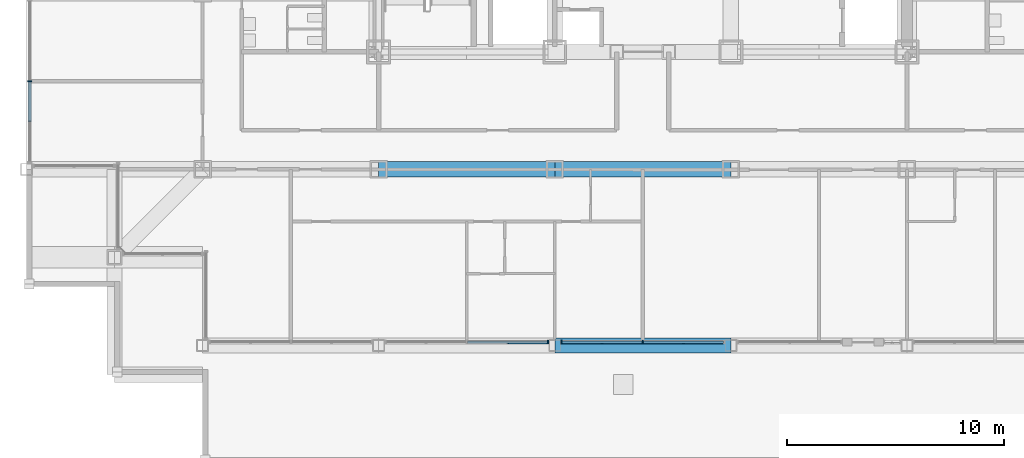
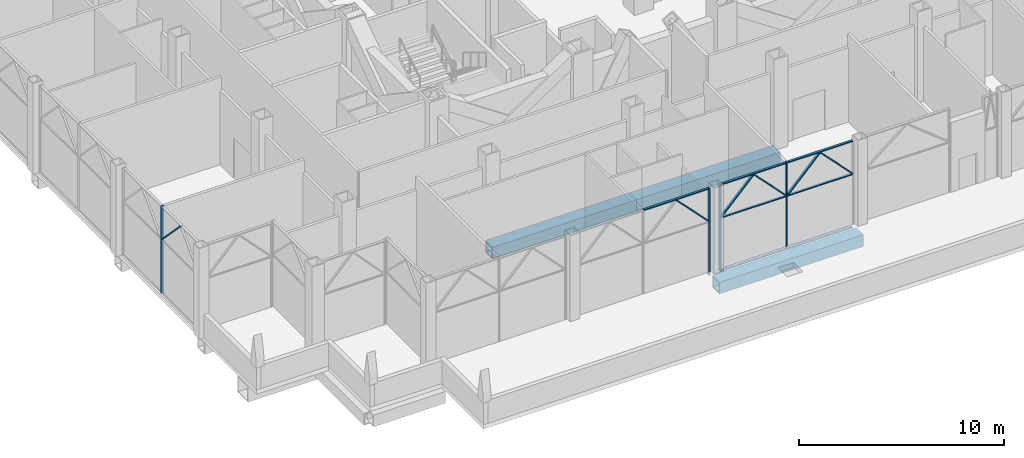
# One storey, part 3 of 29: 17 members, 3 beams, 3 elements without a shape of their own.
"""IFC4 building model written with IfcOpenShell, lengths in metres."""

from ifc_helpers import new_model, si_unit, direction, frame, origin, origin_2d, place, context, subcontext, project, spatial, rectangle, hollow_rectangle, extrude, material, material_profile, profile_set, type_object, element, aggregate, save


model = new_model("IFC4")

# Units and contexts
model_context = context("Model", 3, precision=1e-05, world=origin(), true_north=direction((0.0, 1.0)))
body_context = subcontext(model_context, "Body", "Model", "MODEL_VIEW")
ifc_project = project(units=[si_unit("LENGTHUNIT", "METRE"), si_unit("AREAUNIT", "SQUARE_METRE"), si_unit("VOLUMEUNIT", "CUBIC_METRE"), si_unit("PLANEANGLEUNIT", "RADIAN"), si_unit("MASSUNIT", "GRAM", prefix="KILO")], contexts=[model_context])

# Site, building, storey
site_placement = place(None, origin())
site = spatial("IfcSite", under=ifc_project, at=site_placement, CompositionType="ELEMENT")
building_placement = place(site_placement, origin())
building = spatial("IfcBuilding", under=site, at=building_placement, Name="Kopane Lantern Tower", CompositionType="ELEMENT")
storey_placement = place(building_placement, frame((0.0, 0.0, 165.0)))
storey = spatial("IfcBuildingStorey", under=building, at=storey_placement, Name="L42", CompositionType="ELEMENT", Elevation=165.0)

# Beams
ifc_material_1 = material(Name="Steel S355JR", Category="steel")
ifc_material_profile_1 = material_profile(ifc_material_1, hollow_rectangle(XDim=0.699951171875, YDim=0.699951171875, WallThickness=0.06005859375, at=origin_2d()), Name="BOX 700x700x60")
ifc_profile_set_1 = profile_set([ifc_material_profile_1], Name="Steel S355JR")
beam_type = type_object("IfcBeamType", Name="GIRDER BOX 700x700x60", PredefinedType="BEAM", material=ifc_profile_set_1)
beam_placement = place(storey_placement, frame((16.199951171875, 18.89990234375, -0.60009765625), z_axis=(1.0, 0.0, 0.0), x_axis=(0.0, 1.0, 0.0)))
element("IfcBeam", 1, at=beam_placement, inside=storey, type_object=beam_type, Name="Girder L42", PredefinedType="BEAM", context=body_context, shape_type="SweptSolid", body=[
    extrude(hollow_rectangle(XDim=0.699951171875, YDim=0.699951171875, WallThickness=0.06005859375, at=origin_2d()), origin(), (0.0, 0.0, 1.0), 8.10009765625),
])
for number, where, z_axis, x_axis, name in (
    (2, (24.300048828125, 10.800048828125, -0.60009765625), (1.0, 0.0, 0.0), (0.0, 1.0, 0.0), "Girder L42"),
    (3, (24.300048828125, 18.89990234375, -0.60009765625), (1.0, 0.0, 0.0), (0.0, 1.0, 0.0), "Girder L42"),
):
    element("IfcBeam", number, at=place(storey_placement, frame(where, z_axis=z_axis, x_axis=x_axis)), inside=storey, type_object=beam_type, Name=name, PredefinedType="BEAM", context=body_context, shape_type="SweptSolid", body=[
        extrude(hollow_rectangle(XDim=0.699951171875, YDim=0.699951171875, WallThickness=0.06005859375, at=origin_2d()), origin(), (0.0, 0.0, 1.0), 8.099853515625),
    ])

# Curtain wall, members
ifc_material_2 = material(Name="Aluminium and clear glass", Category="aluminium")
curtain_wall_type = type_object("IfcCurtainWallType", Name="CURTAIN WALL CW4 RESIDENCES LOBBY", PredefinedType="USERDEFINED", material=ifc_material_2)
curtain_wall_1_placement = place(storey_placement, origin())
curtain_wall_1 = element("IfcCurtainWall", 4, at=curtain_wall_1_placement, inside=storey, type_object=curtain_wall_type, Name="Curtain wall CW4 S L42", ObjectType="CURTAIN WALL", PredefinedType="USERDEFINED")
ifc_material_3 = material(Name="Aluminium", Category="aluminium")
ifc_material_profile_2 = material_profile(ifc_material_3, rectangle(XDim=0.06005859375, YDim=0.1650390625, at=origin_2d()), Name="AL 60x165")
ifc_profile_set_2 = profile_set([ifc_material_profile_2], Name="Aluminium")
member_type_1 = type_object("IfcMemberType", Name="MULLION CW4-M 60x165", PredefinedType="MULLION", material=ifc_profile_set_2)
member_1_placement = place(storey_placement, frame((23.989990234375, 10.949951171875, 0.0), z_axis=(0.0, 0.0, 1.0), x_axis=(1.0, 0.0, 0.0)))
member_1 = element("IfcMember", 5, at=member_1_placement, type_object=member_type_1, Name="CW4 mullion 3", PredefinedType="MULLION", context=body_context, shape_type="SweptSolid", body=[
    extrude(rectangle(XDim=0.06005859375, YDim=0.1650390625, at=origin_2d()), origin(), (0.0, 0.0, 1.0), 5.18994140625),
])
member_2_placement = place(storey_placement, frame((23.9384765625, 10.949951171875, 3.24072265625), z_axis=(-0.693174589614, 0.0, 0.720769719337), x_axis=(0.720769719337, 0.0, 0.693174589614)))
member_2 = element("IfcMember", 6, at=member_2_placement, type_object=member_type_1, Name="CW4 lancet mullion 2R", PredefinedType="MULLION", context=body_context, shape_type="SweptSolid", body=[
    extrude(rectangle(XDim=0.06005859375, YDim=0.1650390625, at=origin_2d()), origin(), (0.0, 0.0, 1.0), 2.59228515625),
])

curtain_wall_2_placement = place(storey_placement, origin())
curtain_wall_2 = element("IfcCurtainWall", 7, at=curtain_wall_2_placement, inside=storey, type_object=curtain_wall_type, Name="Curtain wall CW4 S L42", ObjectType="CURTAIN WALL", PredefinedType="USERDEFINED")
member_3_placement = place(storey_placement, frame((24.610107421875, 10.949951171875, 0.0), z_axis=(0.0, 0.0, 1.0), x_axis=(1.0, 0.0, 0.0)))
member_3 = element("IfcMember", 8, at=member_3_placement, type_object=member_type_1, Name="CW4 mullion 1", PredefinedType="MULLION", context=body_context, shape_type="SweptSolid", body=[
    extrude(rectangle(XDim=0.06005859375, YDim=0.1650390625, at=origin_2d()), origin(), (0.0, 0.0, 1.0), 5.18994140625),
])
member_4_placement = place(storey_placement, frame((28.35009765625, 10.949951171875, 0.0), z_axis=(0.0, 0.0, 1.0), x_axis=(1.0, 0.0, 0.0)))
member_4 = element("IfcMember", 9, at=member_4_placement, type_object=member_type_1, Name="CW4 mullion 2", PredefinedType="MULLION", context=body_context, shape_type="SweptSolid", body=[
    extrude(rectangle(XDim=0.06005859375, YDim=0.1650390625, at=origin_2d()), origin(), (0.0, 0.0, 1.0), 5.18994140625),
])
member_5_placement = place(storey_placement, frame((24.66162109375, 10.949951171875, 3.24072265625), z_axis=(0.693174589614, 0.0, 0.720769719337), x_axis=(-0.720769719337, 0.0, 0.693174589614)))
member_5 = element("IfcMember", 10, at=member_5_placement, type_object=member_type_1, Name="CW4 lancet mullion 1L", PredefinedType="MULLION", context=body_context, shape_type="SweptSolid", body=[
    extrude(rectangle(XDim=0.06005859375, YDim=0.1650390625, at=origin_2d()), origin(), (0.0, 0.0, 1.0), 2.59228515625),
])
member_6_placement = place(storey_placement, frame((28.29833984375, 10.949951171875, 3.24072265625), z_axis=(-0.693125656775, 0.0, 0.720816775554), x_axis=(0.720816775554, 0.0, 0.693125656775)))
member_6 = element("IfcMember", 11, at=member_6_placement, type_object=member_type_1, Name="CW4 lancet mullion 1R", PredefinedType="MULLION", context=body_context, shape_type="SweptSolid", body=[
    extrude(rectangle(XDim=0.06005859375, YDim=0.1650390625, at=origin_2d()), origin(), (0.0, 0.0, 1.0), 2.592041015625),
])
member_7_placement = place(storey_placement, frame((28.401611328125, 10.949951171875, 3.24072265625), z_axis=(0.693174589614, 0.0, 0.720769719337), x_axis=(-0.720769719337, 0.0, 0.693174589614)))
member_7 = element("IfcMember", 12, at=member_7_placement, type_object=member_type_1, Name="CW4 lancet mullion 2L", PredefinedType="MULLION", context=body_context, shape_type="SweptSolid", body=[
    extrude(rectangle(XDim=0.06005859375, YDim=0.1650390625, at=origin_2d()), origin(), (0.0, 0.0, 1.0), 2.59228515625),
])
member_8_placement = place(storey_placement, frame((32.038330078125, 10.949951171875, 3.24072265625), z_axis=(-0.693125656775, 0.0, 0.720816775554), x_axis=(0.720816775554, 0.0, 0.693125656775)))
member_8 = element("IfcMember", 13, at=member_8_placement, type_object=member_type_1, Name="CW4 lancet mullion 2R", PredefinedType="MULLION", context=body_context, shape_type="SweptSolid", body=[
    extrude(rectangle(XDim=0.06005859375, YDim=0.1650390625, at=origin_2d()), origin(), (0.0, 0.0, 1.0), 2.592041015625),
])

curtain_wall_3_placement = place(storey_placement, origin())
curtain_wall_3 = element("IfcCurtainWall", 14, at=curtain_wall_3_placement, inside=storey, type_object=curtain_wall_type, Name="Curtain wall CW4 W L42", ObjectType="CURTAIN WALL", PredefinedType="USERDEFINED")
member_9_placement = place(storey_placement, frame((0.14990234375, 22.949951171875, 0.0), z_axis=(0.0, 0.0, 1.0), x_axis=(0.0, -1.0, 0.0)))
member_9 = element("IfcMember", 15, at=member_9_placement, type_object=member_type_1, Name="CW4 mullion 2", PredefinedType="MULLION", context=body_context, shape_type="SweptSolid", body=[
    extrude(rectangle(XDim=0.06005859375, YDim=0.1650390625, at=origin_2d()), origin(), (0.0, 0.0, 1.0), 5.18994140625),
])
member_10_placement = place(storey_placement, frame((0.14990234375, 22.8984375, 3.24072265625), z_axis=(0.0, -0.693174589614, 0.720769719337), x_axis=(0.0, 0.720769719337, 0.693174589614)))
member_10 = element("IfcMember", 16, at=member_10_placement, type_object=member_type_1, Name="CW4 lancet mullion 2L", PredefinedType="MULLION", context=body_context, shape_type="SweptSolid", body=[
    extrude(rectangle(XDim=0.06005859375, YDim=0.1650390625, at=origin_2d()), origin(), (0.0, 0.0, 1.0), 2.59228515625),
])
aggregate(curtain_wall_3, [member_9, member_10])

# Member
ifc_material_4 = material(Name="Aluminium", Category="aluminium")
ifc_material_profile_3 = material_profile(ifc_material_4, rectangle(XDim=0.125, YDim=0.06005859375, at=origin_2d()), Name="AL 125x60")
ifc_profile_set_3 = profile_set([ifc_material_profile_3], Name="Aluminium")
member_type_2 = type_object("IfcMemberType", Name="TRANSOM CW4-T 60x125", PredefinedType="USERDEFINED", material=ifc_profile_set_3)
member_11_placement = place(storey_placement, frame((20.280029296875, 10.949951171875, 5.159912109375), z_axis=(1.0, 0.0, 0.0), x_axis=(0.0, 1.0, 0.0)))
member_11 = element("IfcMember", 17, at=member_11_placement, type_object=member_type_2, Name="CW4 transom 2.3", ObjectType="TRANSOM", PredefinedType="USERDEFINED", context=body_context, shape_type="SweptSolid", body=[
    extrude(rectangle(XDim=0.125, YDim=0.06005859375, at=origin_2d()), origin(), (0.0, 0.0, 1.0), 3.679931640625),
])

aggregate(curtain_wall_1, [member_1, member_11, member_2])

member_12_placement = place(storey_placement, frame((24.639892578125, 10.949951171875, 0.030029296875), z_axis=(1.0, 0.0, 0.0), x_axis=(0.0, 1.0, 0.0)))
member_12 = element("IfcMember", 18, at=member_12_placement, type_object=member_type_2, Name="CW4 transom 1.1", ObjectType="TRANSOM", PredefinedType="USERDEFINED", context=body_context, shape_type="SweptSolid", body=[
    extrude(rectangle(XDim=0.125, YDim=0.06005859375, at=origin_2d()), origin(), (0.0, 0.0, 1.0), 3.68017578125),
])

member_13_placement = place(storey_placement, frame((24.639892578125, 10.949951171875, 3.18994140625), z_axis=(1.0, 0.0, 0.0), x_axis=(0.0, 1.0, 0.0)))
member_13 = element("IfcMember", 19, at=member_13_placement, type_object=member_type_2, Name="CW4 transom 1.2", ObjectType="TRANSOM", PredefinedType="USERDEFINED", context=body_context, shape_type="SweptSolid", body=[
    extrude(rectangle(XDim=0.125, YDim=0.06005859375, at=origin_2d()), origin(), (0.0, 0.0, 1.0), 3.68017578125),
])

member_14_placement = place(storey_placement, frame((24.639892578125, 10.949951171875, 5.159912109375), z_axis=(1.0, 0.0, 0.0), x_axis=(0.0, 1.0, 0.0)))
member_14 = element("IfcMember", 20, at=member_14_placement, type_object=member_type_2, Name="CW4 transom 1.3", ObjectType="TRANSOM", PredefinedType="USERDEFINED", context=body_context, shape_type="SweptSolid", body=[
    extrude(rectangle(XDim=0.125, YDim=0.06005859375, at=origin_2d()), origin(), (0.0, 0.0, 1.0), 3.68017578125),
])

member_15_placement = place(storey_placement, frame((28.3798828125, 10.949951171875, 0.030029296875), z_axis=(1.0, 0.0, 0.0), x_axis=(0.0, 1.0, 0.0)))
member_15 = element("IfcMember", 21, at=member_15_placement, type_object=member_type_2, Name="CW4 transom 2.1", ObjectType="TRANSOM", PredefinedType="USERDEFINED", context=body_context, shape_type="SweptSolid", body=[
    extrude(rectangle(XDim=0.125, YDim=0.06005859375, at=origin_2d()), origin(), (0.0, 0.0, 1.0), 3.68017578125),
])

member_16_placement = place(storey_placement, frame((28.3798828125, 10.949951171875, 3.18994140625), z_axis=(1.0, 0.0, 0.0), x_axis=(0.0, 1.0, 0.0)))
member_16 = element("IfcMember", 22, at=member_16_placement, type_object=member_type_2, Name="CW4 transom 2.2", ObjectType="TRANSOM", PredefinedType="USERDEFINED", context=body_context, shape_type="SweptSolid", body=[
    extrude(rectangle(XDim=0.125, YDim=0.06005859375, at=origin_2d()), origin(), (0.0, 0.0, 1.0), 3.68017578125),
])

member_17_placement = place(storey_placement, frame((28.3798828125, 10.949951171875, 5.159912109375), z_axis=(1.0, 0.0, 0.0), x_axis=(0.0, 1.0, 0.0)))
member_17 = element("IfcMember", 23, at=member_17_placement, type_object=member_type_2, Name="CW4 transom 2.3", ObjectType="TRANSOM", PredefinedType="USERDEFINED", context=body_context, shape_type="SweptSolid", body=[
    extrude(rectangle(XDim=0.125, YDim=0.06005859375, at=origin_2d()), origin(), (0.0, 0.0, 1.0), 3.68017578125),
])

aggregate(curtain_wall_2, [member_3, member_4, member_12, member_13, member_14, member_15, member_16, member_17, member_5, member_6, member_7, member_8])

save(model, "model.ifc")
